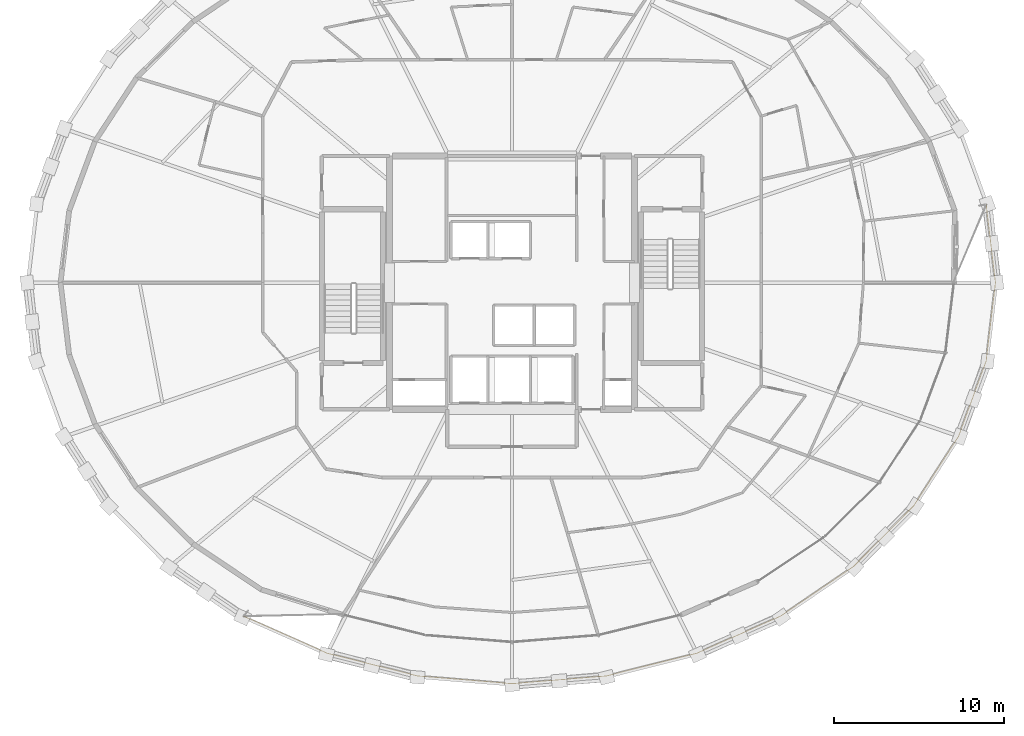
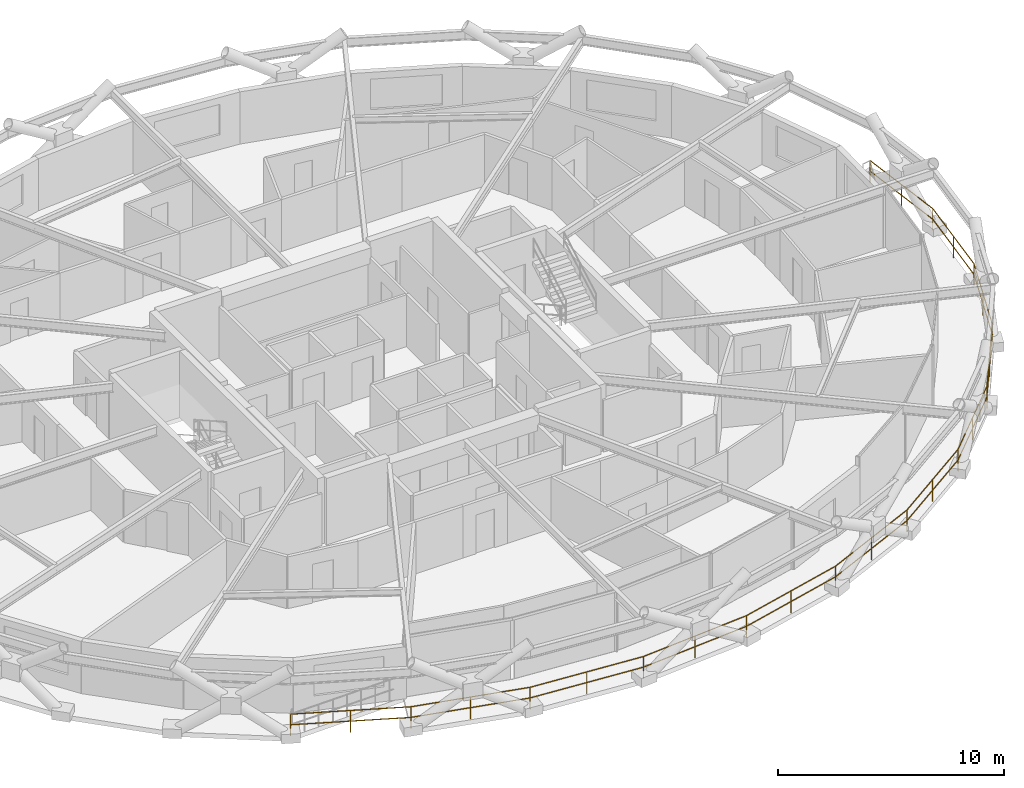
# One storey, part 20 of 21: 1 railing.
"""IFC4 building model written with IfcOpenShell, lengths in metres."""

from ifc_helpers import new_model, si_unit, direction, frame, origin, origin_2d, place, context, subcontext, project, spatial, circle, extrude, material, type_object, element, save


model = new_model("IFC4")

# Units and contexts
model_context = context("Model", 3, precision=1e-05, world=origin(), true_north=direction((0.0, 1.0)))
body_context = subcontext(model_context, "Body", "Model", "MODEL_VIEW")
ifc_project = project(units=[si_unit("LENGTHUNIT", "METRE"), si_unit("AREAUNIT", "SQUARE_METRE"), si_unit("VOLUMEUNIT", "CUBIC_METRE"), si_unit("PLANEANGLEUNIT", "RADIAN"), si_unit("MASSUNIT", "GRAM", prefix="KILO")], contexts=[model_context])

# Site, building, storey
site_placement = place(None, origin())
site = spatial("IfcSite", under=ifc_project, at=site_placement, CompositionType="ELEMENT")
building_placement = place(site_placement, origin())
building = spatial("IfcBuilding", under=site, at=building_placement, Name="Veldorina Hangang Commons", CompositionType="ELEMENT")
storey_placement = place(building_placement, frame((0.0, 0.0, 135.199951171875)))
storey = spatial("IfcBuildingStorey", under=building, at=storey_placement, Name="L34", CompositionType="ELEMENT", Elevation=135.199951171875)

# Railing
ifc_material = material(Name="Glass Laminated Safety Balustrade", Category="glass")
railing_type = type_object("IfcRailingType", Name="RL-BAL-LOGGIA", PredefinedType="BALUSTRADE", material=ifc_material)
railing_placement = place(storey_placement, frame((16.2158203125, 4.397216796875, 0.0)))
element("IfcRailing", 1, at=railing_placement, inside=storey, type_object=railing_type, Name="L34 sky-garden loggia outer balustrade", PredefinedType="BALUSTRADE", context=body_context, shape_type="SweptSolid", body=[
    extrude(circle(Radius=0.02392578125, at=origin_2d()), frame((0.0, 0.0, 1.17578125), z_axis=(0.914309251674, -0.405016780273, 0.0), x_axis=(0.405016780273, 0.914309251674, 0.0)), (0.0, 0.0, 1.0), 5.373291015625),
    extrude(circle(Radius=0.02392578125, at=origin_2d()), frame((0.0, 0.0, 0.60009765625), z_axis=(0.914309251674, -0.405016780273, 0.0), x_axis=(0.405016780273, 0.914309251674, 0.0)), (0.0, 0.0, 1.0), 5.373291015625),
    extrude(circle(Radius=0.02392578125, at=origin_2d()), frame((4.912841796875, -2.17626953125, 1.17578125), z_axis=(0.969833342898, -0.243768921323, 0.0), x_axis=(0.243768921323, 0.969833342898, 0.0)), (0.0, 0.0, 1.0), 5.495361328125),
    extrude(circle(Radius=0.02392578125, at=origin_2d()), frame((4.912841796875, -2.17626953125, 0.60009765625), z_axis=(0.969833342898, -0.243768921323, 0.0), x_axis=(0.243768921323, 0.969833342898, 0.0)), (0.0, 0.0, 1.0), 5.495361328125),
    extrude(circle(Radius=0.02392578125, at=origin_2d()), frame((10.242431640625, -3.515869140625, 1.17578125), z_axis=(0.996688102912, -0.081319281316, 0.0), x_axis=(0.081319281316, 0.996688102912, 0.0)), (0.0, 0.0, 1.0), 5.56005859375),
    extrude(circle(Radius=0.02392578125, at=origin_2d()), frame((10.242431640625, -3.515869140625, 0.60009765625), z_axis=(0.996688102912, -0.081319281316, 0.0), x_axis=(0.081319281316, 0.996688102912, 0.0)), (0.0, 0.0, 1.0), 5.56005859375),
    extrude(circle(Radius=0.02392578125, at=origin_2d()), frame((15.7841796875, -3.968017578125, 1.17578125), z_axis=(0.996688102912, 0.081319281316, 0.0), x_axis=(-0.081319281316, 0.996688102912, 0.0)), (0.0, 0.0, 1.0), 5.56005859375),
    extrude(circle(Radius=0.02392578125, at=origin_2d()), frame((15.7841796875, -3.968017578125, 0.60009765625), z_axis=(0.996688102912, 0.081319281316, 0.0), x_axis=(-0.081319281316, 0.996688102912, 0.0)), (0.0, 0.0, 1.0), 5.56005859375),
    extrude(circle(Radius=0.02392578125, at=origin_2d()), frame((21.325927734375, -3.515869140625, 1.17578125), z_axis=(0.969833342898, 0.243768921323, 0.0), x_axis=(-0.243768921323, 0.969833342898, 0.0)), (0.0, 0.0, 1.0), 5.495361328125),
    extrude(circle(Radius=0.02392578125, at=origin_2d()), frame((21.325927734375, -3.515869140625, 0.60009765625), z_axis=(0.969833342898, 0.243768921323, 0.0), x_axis=(-0.243768921323, 0.969833342898, 0.0)), (0.0, 0.0, 1.0), 5.495361328125),
    extrude(circle(Radius=0.02392578125, at=origin_2d()), frame((26.655517578125, -2.17626953125, 1.17578125), z_axis=(0.914309251674, 0.405016780273, 0.0), x_axis=(-0.405016780273, 0.914309251674, 0.0)), (0.0, 0.0, 1.0), 5.373291015625),
    extrude(circle(Radius=0.02392578125, at=origin_2d()), frame((26.655517578125, -2.17626953125, 0.60009765625), z_axis=(0.914309251674, 0.405016780273, 0.0), x_axis=(-0.405016780273, 0.914309251674, 0.0)), (0.0, 0.0, 1.0), 5.373291015625),
    extrude(circle(Radius=0.02392578125, at=origin_2d()), frame((31.568359375, 0.0, 1.17578125), z_axis=(0.82683758676, 0.562440756988, 0.0), x_axis=(-0.562440756988, 0.82683758676, 0.0)), (0.0, 0.0, 1.0), 5.209716796875),
    extrude(circle(Radius=0.02392578125, at=origin_2d()), frame((31.568359375, 0.0, 0.60009765625), z_axis=(0.82683758676, 0.562440756988, 0.0), x_axis=(-0.562440756988, 0.82683758676, 0.0)), (0.0, 0.0, 1.0), 5.209716796875),
    extrude(circle(Radius=0.02392578125, at=origin_2d()), frame((35.8759765625, 2.93017578125, 1.17578125), z_axis=(0.703551957272, 0.710643823176, 0.0), x_axis=(-0.710643823176, 0.703551957272, 0.0)), (0.0, 0.0, 1.0), 5.026123046875),
    extrude(circle(Radius=0.02392578125, at=origin_2d()), frame((35.8759765625, 2.93017578125, 0.60009765625), z_axis=(0.703551957272, 0.710643823176, 0.0), x_axis=(-0.710643823176, 0.703551957272, 0.0)), (0.0, 0.0, 1.0), 5.026123046875),
    extrude(circle(Radius=0.02392578125, at=origin_2d()), frame((39.412109375, 6.501953125, 1.17578125), z_axis=(0.541914727372, 0.840433476402, 0.0), x_axis=(-0.840433476402, 0.541914727372, 0.0)), (0.0, 0.0, 1.0), 4.849853515625),
    extrude(circle(Radius=0.02392578125, at=origin_2d()), frame((39.412109375, 6.501953125, 0.60009765625), z_axis=(0.541914727372, 0.840433476402, 0.0), x_axis=(-0.840433476402, 0.541914727372, 0.0)), (0.0, 0.0, 1.0), 4.849853515625),
    extrude(circle(Radius=0.02392578125, at=origin_2d()), frame((42.040283203125, 10.577880859375, 1.17578125), z_axis=(0.343614976783, 0.939110615279, 0.0), x_axis=(-0.939110615279, 0.343614976783, 0.0)), (0.0, 0.0, 1.0), 4.710693359375),
    extrude(circle(Radius=0.02392578125, at=origin_2d()), frame((42.040283203125, 10.577880859375, 0.60009765625), z_axis=(0.343614976783, 0.939110615279, 0.0), x_axis=(-0.939110615279, 0.343614976783, 0.0)), (0.0, 0.0, 1.0), 4.710693359375),
    extrude(circle(Radius=0.02392578125, at=origin_2d()), frame((43.658935546875, 15.001708984375, 1.17578125), z_axis=(0.117975378829, 0.993016520502, 0.0), x_axis=(-0.993016520502, 0.117975378829, 0.0)), (0.0, 0.0, 1.0), 4.633544921875),
    extrude(circle(Radius=0.02392578125, at=origin_2d()), frame((43.658935546875, 15.001708984375, 0.60009765625), z_axis=(0.117975378829, 0.993016520502, 0.0), x_axis=(-0.993016520502, 0.117975378829, 0.0)), (0.0, 0.0, 1.0), 4.633544921875),
    extrude(circle(Radius=0.02392578125, at=origin_2d()), frame((44.20556640625, 19.602783203125, 1.17578125), z_axis=(-0.117975378829, 0.993016520502, 0.0), x_axis=(-0.993016520502, -0.117975378829, 0.0)), (0.0, 0.0, 1.0), 4.633544921875),
    extrude(circle(Radius=0.02392578125, at=origin_2d()), frame((44.20556640625, 19.602783203125, 0.60009765625), z_axis=(-0.117975378829, 0.993016520502, 0.0), x_axis=(-0.993016520502, -0.117975378829, 0.0)), (0.0, 0.0, 1.0), 4.633544921875),
    extrude(circle(Radius=0.02099609375, at=origin_2d()), origin(), (0.0, 0.0, 1.0), 1.15185546875),
    extrude(circle(Radius=0.02099609375, at=origin_2d()), frame((2.45654296875, -1.088134765625, 0.0)), (0.0, 0.0, 1.0), 1.15185546875),
    extrude(circle(Radius=0.02099609375, at=origin_2d()), frame((4.912841796875, -2.17626953125, 0.0)), (0.0, 0.0, 1.0), 1.15185546875),
    extrude(circle(Radius=0.02099609375, at=origin_2d()), frame((7.57763671875, -2.84619140625, 0.0)), (0.0, 0.0, 1.0), 1.15185546875),
    extrude(circle(Radius=0.02099609375, at=origin_2d()), frame((10.242431640625, -3.515869140625, 0.0)), (0.0, 0.0, 1.0), 1.15185546875),
    extrude(circle(Radius=0.02099609375, at=origin_2d()), frame((13.01318359375, -3.741943359375, 0.0)), (0.0, 0.0, 1.0), 1.15185546875),
    extrude(circle(Radius=0.02099609375, at=origin_2d()), frame((15.7841796875, -3.968017578125, 0.0)), (0.0, 0.0, 1.0), 1.15185546875),
    extrude(circle(Radius=0.02099609375, at=origin_2d()), frame((18.55517578125, -3.741943359375, 0.0)), (0.0, 0.0, 1.0), 1.15185546875),
    extrude(circle(Radius=0.02099609375, at=origin_2d()), frame((21.325927734375, -3.515869140625, 0.0)), (0.0, 0.0, 1.0), 1.15185546875),
    extrude(circle(Radius=0.02099609375, at=origin_2d()), frame((23.99072265625, -2.84619140625, 0.0)), (0.0, 0.0, 1.0), 1.15185546875),
    extrude(circle(Radius=0.02099609375, at=origin_2d()), frame((26.655517578125, -2.17626953125, 0.0)), (0.0, 0.0, 1.0), 1.15185546875),
    extrude(circle(Radius=0.02099609375, at=origin_2d()), frame((29.11181640625, -1.088134765625, 0.0)), (0.0, 0.0, 1.0), 1.15185546875),
    extrude(circle(Radius=0.02099609375, at=origin_2d()), frame((31.568359375, 0.0, 0.0)), (0.0, 0.0, 1.0), 1.15185546875),
    extrude(circle(Radius=0.02099609375, at=origin_2d()), frame((33.72216796875, 1.465087890625, 0.0)), (0.0, 0.0, 1.0), 1.15185546875),
    extrude(circle(Radius=0.02099609375, at=origin_2d()), frame((35.8759765625, 2.93017578125, 0.0)), (0.0, 0.0, 1.0), 1.15185546875),
    extrude(circle(Radius=0.02099609375, at=origin_2d()), frame((37.64404296875, 4.716064453125, 0.0)), (0.0, 0.0, 1.0), 1.15185546875),
    extrude(circle(Radius=0.02099609375, at=origin_2d()), frame((39.412109375, 6.501953125, 0.0)), (0.0, 0.0, 1.0), 1.15185546875),
    extrude(circle(Radius=0.02099609375, at=origin_2d()), frame((40.72607421875, 8.5400390625, 0.0)), (0.0, 0.0, 1.0), 1.15185546875),
    extrude(circle(Radius=0.02099609375, at=origin_2d()), frame((42.040283203125, 10.577880859375, 0.0)), (0.0, 0.0, 1.0), 1.15185546875),
    extrude(circle(Radius=0.02099609375, at=origin_2d()), frame((42.849609375, 12.789794921875, 0.0)), (0.0, 0.0, 1.0), 1.15185546875),
    extrude(circle(Radius=0.02099609375, at=origin_2d()), frame((43.658935546875, 15.001708984375, 0.0)), (0.0, 0.0, 1.0), 1.15185546875),
    extrude(circle(Radius=0.02099609375, at=origin_2d()), frame((43.93212890625, 17.30224609375, 0.0)), (0.0, 0.0, 1.0), 1.15185546875),
    extrude(circle(Radius=0.02099609375, at=origin_2d()), frame((44.20556640625, 19.602783203125, 0.0)), (0.0, 0.0, 1.0), 1.15185546875),
    extrude(circle(Radius=0.02099609375, at=origin_2d()), frame((43.93212890625, 21.9033203125, 0.0)), (0.0, 0.0, 1.0), 1.15185546875),
    extrude(circle(Radius=0.02099609375, at=origin_2d()), frame((43.658935546875, 24.203857421875, 0.0)), (0.0, 0.0, 1.0), 1.15185546875),
])

save(model, "model.ifc")
